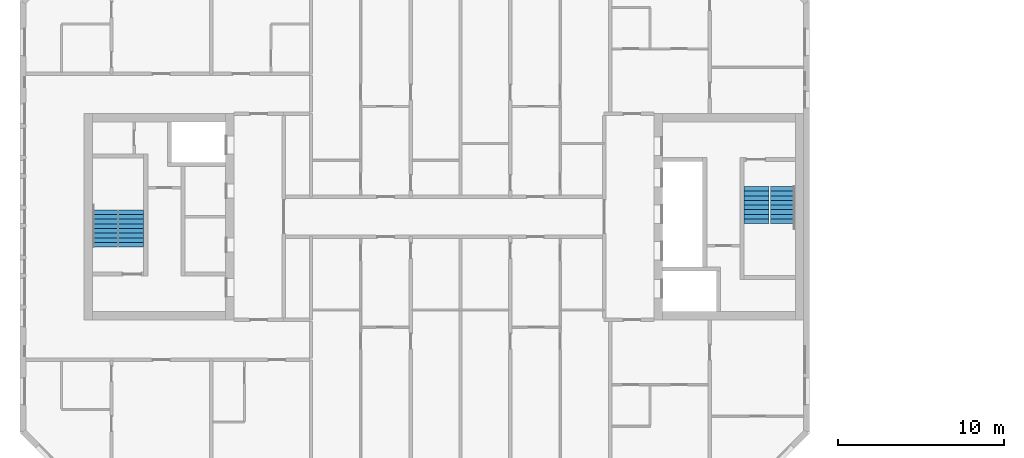
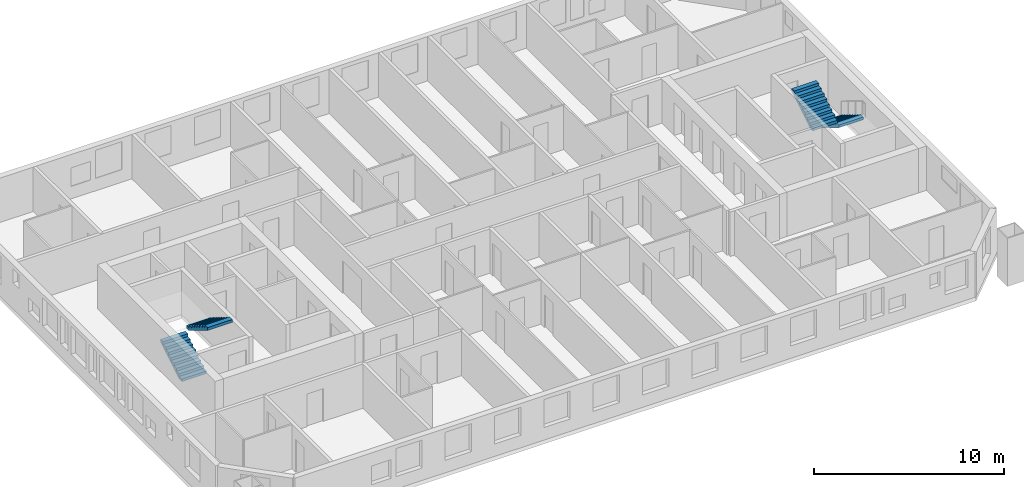
# One storey, part 15 of 16: 4 stair flights, 2 elements without a shape of their own.
"""IFC4 building model written with IfcOpenShell, lengths in metres."""

from ifc_helpers import new_model, si_unit, direction, frame, origin, place, context, subcontext, project, spatial, faceted_brep, material, type_object, element, aggregate, save


model = new_model("IFC4")

# Units and contexts
model_context = context("Model", 3, precision=1e-05, world=origin(), true_north=direction((0.0, 1.0)))
body_context = subcontext(model_context, "Body", "Model", "MODEL_VIEW")
ifc_project = project(units=[si_unit("LENGTHUNIT", "METRE"), si_unit("AREAUNIT", "SQUARE_METRE"), si_unit("VOLUMEUNIT", "CUBIC_METRE"), si_unit("PLANEANGLEUNIT", "RADIAN"), si_unit("MASSUNIT", "GRAM", prefix="KILO")], contexts=[model_context])

# Site, building, storey
site_placement = place(None, origin())
site = spatial("IfcSite", under=ifc_project, at=site_placement, CompositionType="ELEMENT")
building_placement = place(site_placement, origin())
building = spatial("IfcBuilding", under=site, at=building_placement, Name="Tuart Gate Housing", CompositionType="ELEMENT")
storey_placement = place(building_placement, frame((0.0, 0.0, 151.60009765625)))
storey = spatial("IfcBuildingStorey", under=building, at=storey_placement, Name="L42", CompositionType="ELEMENT", Elevation=151.60009765625)

# Stair, stair flights
ifc_material_1 = material(Name="Concrete C40", Category="concrete")
stair_type = type_object("IfcStairType", Name="Core stair 1500", PredefinedType="HALF_TURN_STAIR", material=ifc_material_1)
stair_1_placement = place(storey_placement, origin())
stair_1 = element("IfcStair", 1, at=stair_1_placement, inside=storey, type_object=stair_type, Name="Stair SA1", PredefinedType="HALF_TURN_STAIR")
ifc_material_2 = material(Name="Concrete C40", Category="concrete")
stair_flight_type = type_object("IfcStairFlightType", Name="Stair flight 1500, 9 risers 172 x 280", PredefinedType="STRAIGHT", material=ifc_material_2)
stair_flight_1_placement = place(storey_placement, frame((74.389892578125, 71.824951171875, 0.0), z_axis=(0.0, 0.0, 1.0), x_axis=(0.0, -1.0, 0.0)))
stair_flight_1 = element("IfcStairFlight", 2, at=stair_flight_1_placement, type_object=stair_flight_type, Name="SA1 flight 1", NumberOfRisers=9, NumberOfTreads=8, PredefinedType="STRAIGHT", RiserHeight=0.172222222, TreadLength=0.28, context=body_context, shape_type="Brep", body=[
    faceted_brep([(0.0, 0.75, 0.0), (0.0, 0.75, 0.172119140625), (0.280029296875, 0.75, 0.172119140625), (0.280029296875, 0.75, 0.344482421875), (0.56005859375, 0.75, 0.344482421875), (0.56005859375, 0.75, 0.5166015625), (0.840087890625, 0.75, 0.5166015625), (0.840087890625, 0.75, 0.68896484375), (1.1201171875, 0.75, 0.68896484375), (1.1201171875, 0.75, 0.861083984375), (1.39990234375, 0.75, 0.861083984375), (1.39990234375, 0.75, 1.033447265625), (1.679931640625, 0.75, 1.033447265625), (1.679931640625, 0.75, 1.20556640625), (1.9599609375, 0.75, 1.20556640625), (1.9599609375, 0.75, 1.377685546875), (2.239990234375, 0.75, 1.377685546875), (2.239990234375, 0.75, 1.201904296875), (0.2861328125, 0.75, 0.0), (0.2861328125, -0.75, 0.0), (2.239990234375, -0.75, 1.201904296875), (2.239990234375, -0.75, 1.377685546875), (1.9599609375, -0.75, 1.377685546875), (1.9599609375, -0.75, 1.20556640625), (1.679931640625, -0.75, 1.20556640625), (1.679931640625, -0.75, 1.033447265625), (1.39990234375, -0.75, 1.033447265625), (1.39990234375, -0.75, 0.861083984375), (1.1201171875, -0.75, 0.861083984375), (1.1201171875, -0.75, 0.68896484375), (0.840087890625, -0.75, 0.68896484375), (0.840087890625, -0.75, 0.5166015625), (0.56005859375, -0.75, 0.5166015625), (0.56005859375, -0.75, 0.344482421875), (0.280029296875, -0.75, 0.344482421875), (0.280029296875, -0.75, 0.172119140625), (0.0, -0.75, 0.172119140625), (0.0, -0.75, 0.0), (2.239990234375, 0.0, 1.201904296875), (0.2861328125, 0.0, 0.0), (2.239990234375, 0.0, 1.377685546875), (1.9599609375, 0.0, 1.377685546875), (1.9599609375, 0.0, 1.20556640625), (1.679931640625, 0.0, 1.20556640625), (1.679931640625, 0.0, 1.033447265625), (1.39990234375, 0.0, 1.033447265625), (1.39990234375, 0.0, 0.861083984375), (1.1201171875, 0.0, 0.861083984375), (1.1201171875, 0.0, 0.68896484375), (0.840087890625, 0.0, 0.68896484375), (0.840087890625, 0.0, 0.5166015625), (0.56005859375, 0.0, 0.5166015625), (0.56005859375, 0.0, 0.344482421875), (0.280029296875, 0.0, 0.344482421875), (0.280029296875, 0.0, 0.172119140625), (0.0, 0.0, 0.172119140625), (0.0, 0.0, 0.0)], [[[0, 1, 2, 3, 4, 5, 6, 7, 8, 9, 10, 11, 12, 13, 14, 15, 16, 17, 18]], [[19, 20, 21, 22, 23, 24, 25, 26, 27, 28, 29, 30, 31, 32, 33, 34, 35, 36, 37]], [[18, 17, 38, 39]], [[39, 38, 20, 19]], [[17, 16, 40, 38]], [[38, 40, 21, 20]], [[16, 15, 41, 40]], [[40, 41, 22, 21]], [[15, 14, 42, 41]], [[41, 42, 23, 22]], [[14, 13, 43, 42]], [[42, 43, 24, 23]], [[13, 12, 44, 43]], [[43, 44, 25, 24]], [[12, 11, 45, 44]], [[44, 45, 26, 25]], [[11, 10, 46, 45]], [[45, 46, 27, 26]], [[10, 9, 47, 46]], [[46, 47, 28, 27]], [[9, 8, 48, 47]], [[47, 48, 29, 28]], [[8, 7, 49, 48]], [[48, 49, 30, 29]], [[7, 6, 50, 49]], [[49, 50, 31, 30]], [[6, 5, 51, 50]], [[50, 51, 32, 31]], [[5, 4, 52, 51]], [[51, 52, 33, 32]], [[4, 3, 53, 52]], [[52, 53, 34, 33]], [[3, 2, 54, 53]], [[53, 54, 35, 34]], [[2, 1, 55, 54]], [[54, 55, 36, 35]], [[1, 0, 56, 55]], [[55, 56, 37, 36]], [[0, 18, 39, 56]], [[56, 39, 19, 37]]]),
])
stair_flight_2_placement = place(storey_placement, frame((72.81494140625, 69.5849609375, 1.5498046875), z_axis=(0.0, 0.0, 1.0), x_axis=(0.0, 1.0, 0.0)))
stair_flight_2 = element("IfcStairFlight", 3, at=stair_flight_2_placement, type_object=stair_flight_type, Name="SA1 flight 2", NumberOfRisers=9, NumberOfTreads=8, PredefinedType="STRAIGHT", RiserHeight=0.172222222, TreadLength=0.28, context=body_context, shape_type="Brep", body=[
    faceted_brep([(0.0, 0.75, 0.0), (0.0, 0.75, 0.172119140625), (0.280029296875, 0.75, 0.172119140625), (0.280029296875, 0.75, 0.344482421875), (0.56005859375, 0.75, 0.344482421875), (0.56005859375, 0.75, 0.5166015625), (0.840087890625, 0.75, 0.5166015625), (0.840087890625, 0.75, 0.68896484375), (1.1201171875, 0.75, 0.68896484375), (1.1201171875, 0.75, 0.861083984375), (1.39990234375, 0.75, 0.861083984375), (1.39990234375, 0.75, 1.033447265625), (1.679931640625, 0.75, 1.033447265625), (1.679931640625, 0.75, 1.20556640625), (1.9599609375, 0.75, 1.20556640625), (1.9599609375, 0.75, 1.377685546875), (2.239990234375, 0.75, 1.377685546875), (2.239990234375, 0.75, 1.201904296875), (0.2861328125, 0.75, 0.0), (0.2861328125, -0.75, 0.0), (2.239990234375, -0.75, 1.201904296875), (2.239990234375, -0.75, 1.377685546875), (1.9599609375, -0.75, 1.377685546875), (1.9599609375, -0.75, 1.20556640625), (1.679931640625, -0.75, 1.20556640625), (1.679931640625, -0.75, 1.033447265625), (1.39990234375, -0.75, 1.033447265625), (1.39990234375, -0.75, 0.861083984375), (1.1201171875, -0.75, 0.861083984375), (1.1201171875, -0.75, 0.68896484375), (0.840087890625, -0.75, 0.68896484375), (0.840087890625, -0.75, 0.5166015625), (0.56005859375, -0.75, 0.5166015625), (0.56005859375, -0.75, 0.344482421875), (0.280029296875, -0.75, 0.344482421875), (0.280029296875, -0.75, 0.172119140625), (0.0, -0.75, 0.172119140625), (0.0, -0.75, 0.0), (2.239990234375, 0.0, 1.201904296875), (0.2861328125, 0.0, 0.0), (2.239990234375, 0.0, 1.377685546875), (1.9599609375, 0.0, 1.377685546875), (1.9599609375, 0.0, 1.20556640625), (1.679931640625, 0.0, 1.20556640625), (1.679931640625, 0.0, 1.033447265625), (1.39990234375, 0.0, 1.033447265625), (1.39990234375, 0.0, 0.861083984375), (1.1201171875, 0.0, 0.861083984375), (1.1201171875, 0.0, 0.68896484375), (0.840087890625, 0.0, 0.68896484375), (0.840087890625, 0.0, 0.5166015625), (0.56005859375, 0.0, 0.5166015625), (0.56005859375, 0.0, 0.344482421875), (0.280029296875, 0.0, 0.344482421875), (0.280029296875, 0.0, 0.172119140625), (0.0, 0.0, 0.172119140625), (0.0, 0.0, 0.0)], [[[0, 1, 2, 3, 4, 5, 6, 7, 8, 9, 10, 11, 12, 13, 14, 15, 16, 17, 18]], [[19, 20, 21, 22, 23, 24, 25, 26, 27, 28, 29, 30, 31, 32, 33, 34, 35, 36, 37]], [[18, 17, 38, 39]], [[39, 38, 20, 19]], [[17, 16, 40, 38]], [[38, 40, 21, 20]], [[16, 15, 41, 40]], [[40, 41, 22, 21]], [[15, 14, 42, 41]], [[41, 42, 23, 22]], [[14, 13, 43, 42]], [[42, 43, 24, 23]], [[13, 12, 44, 43]], [[43, 44, 25, 24]], [[12, 11, 45, 44]], [[44, 45, 26, 25]], [[11, 10, 46, 45]], [[45, 46, 27, 26]], [[10, 9, 47, 46]], [[46, 47, 28, 27]], [[9, 8, 48, 47]], [[47, 48, 29, 28]], [[8, 7, 49, 48]], [[48, 49, 30, 29]], [[7, 6, 50, 49]], [[49, 50, 31, 30]], [[6, 5, 51, 50]], [[50, 51, 32, 31]], [[5, 4, 52, 51]], [[51, 52, 33, 32]], [[4, 3, 53, 52]], [[52, 53, 34, 33]], [[3, 2, 54, 53]], [[53, 54, 35, 34]], [[2, 1, 55, 54]], [[54, 55, 36, 35]], [[1, 0, 56, 55]], [[55, 56, 37, 36]], [[0, 18, 39, 56]], [[56, 39, 19, 37]]]),
])
aggregate(stair_1, [stair_flight_1, stair_flight_2])

stair_2_placement = place(storey_placement, origin())
stair_2 = element("IfcStair", 4, at=stair_2_placement, inside=storey, type_object=stair_type, Name="Stair SA2", PredefinedType="HALF_TURN_STAIR")
stair_flight_3_placement = place(storey_placement, frame((33.610107421875, 68.175048828125, 0.0), z_axis=(0.0, 0.0, 1.0), x_axis=(0.0, 1.0, 0.0)))
stair_flight_3 = element("IfcStairFlight", 5, at=stair_flight_3_placement, type_object=stair_flight_type, Name="SA2 flight 1", NumberOfRisers=9, NumberOfTreads=8, PredefinedType="STRAIGHT", RiserHeight=0.172222222, TreadLength=0.28, context=body_context, shape_type="Brep", body=[
    faceted_brep([(0.0, 0.75, 0.0), (0.0, 0.75, 0.172119140625), (0.280029296875, 0.75, 0.172119140625), (0.280029296875, 0.75, 0.344482421875), (0.56005859375, 0.75, 0.344482421875), (0.56005859375, 0.75, 0.5166015625), (0.840087890625, 0.75, 0.5166015625), (0.840087890625, 0.75, 0.68896484375), (1.1201171875, 0.75, 0.68896484375), (1.1201171875, 0.75, 0.861083984375), (1.39990234375, 0.75, 0.861083984375), (1.39990234375, 0.75, 1.033447265625), (1.679931640625, 0.75, 1.033447265625), (1.679931640625, 0.75, 1.20556640625), (1.9599609375, 0.75, 1.20556640625), (1.9599609375, 0.75, 1.377685546875), (2.239990234375, 0.75, 1.377685546875), (2.239990234375, 0.75, 1.201904296875), (0.2861328125, 0.75, 0.0), (0.2861328125, -0.75, 0.0), (2.239990234375, -0.75, 1.201904296875), (2.239990234375, -0.75, 1.377685546875), (1.9599609375, -0.75, 1.377685546875), (1.9599609375, -0.75, 1.20556640625), (1.679931640625, -0.75, 1.20556640625), (1.679931640625, -0.75, 1.033447265625), (1.39990234375, -0.75, 1.033447265625), (1.39990234375, -0.75, 0.861083984375), (1.1201171875, -0.75, 0.861083984375), (1.1201171875, -0.75, 0.68896484375), (0.840087890625, -0.75, 0.68896484375), (0.840087890625, -0.75, 0.5166015625), (0.56005859375, -0.75, 0.5166015625), (0.56005859375, -0.75, 0.344482421875), (0.280029296875, -0.75, 0.344482421875), (0.280029296875, -0.75, 0.172119140625), (0.0, -0.75, 0.172119140625), (0.0, -0.75, 0.0), (2.239990234375, 0.0, 1.201904296875), (0.2861328125, 0.0, 0.0), (2.239990234375, 0.0, 1.377685546875), (1.9599609375, 0.0, 1.377685546875), (1.9599609375, 0.0, 1.20556640625), (1.679931640625, 0.0, 1.20556640625), (1.679931640625, 0.0, 1.033447265625), (1.39990234375, 0.0, 1.033447265625), (1.39990234375, 0.0, 0.861083984375), (1.1201171875, 0.0, 0.861083984375), (1.1201171875, 0.0, 0.68896484375), (0.840087890625, 0.0, 0.68896484375), (0.840087890625, 0.0, 0.5166015625), (0.56005859375, 0.0, 0.5166015625), (0.56005859375, 0.0, 0.344482421875), (0.280029296875, 0.0, 0.344482421875), (0.280029296875, 0.0, 0.172119140625), (0.0, 0.0, 0.172119140625), (0.0, 0.0, 0.0)], [[[0, 1, 2, 3, 4, 5, 6, 7, 8, 9, 10, 11, 12, 13, 14, 15, 16, 17, 18]], [[19, 20, 21, 22, 23, 24, 25, 26, 27, 28, 29, 30, 31, 32, 33, 34, 35, 36, 37]], [[18, 17, 38, 39]], [[39, 38, 20, 19]], [[17, 16, 40, 38]], [[38, 40, 21, 20]], [[16, 15, 41, 40]], [[40, 41, 22, 21]], [[15, 14, 42, 41]], [[41, 42, 23, 22]], [[14, 13, 43, 42]], [[42, 43, 24, 23]], [[13, 12, 44, 43]], [[43, 44, 25, 24]], [[12, 11, 45, 44]], [[44, 45, 26, 25]], [[11, 10, 46, 45]], [[45, 46, 27, 26]], [[10, 9, 47, 46]], [[46, 47, 28, 27]], [[9, 8, 48, 47]], [[47, 48, 29, 28]], [[8, 7, 49, 48]], [[48, 49, 30, 29]], [[7, 6, 50, 49]], [[49, 50, 31, 30]], [[6, 5, 51, 50]], [[50, 51, 32, 31]], [[5, 4, 52, 51]], [[51, 52, 33, 32]], [[4, 3, 53, 52]], [[52, 53, 34, 33]], [[3, 2, 54, 53]], [[53, 54, 35, 34]], [[2, 1, 55, 54]], [[54, 55, 36, 35]], [[1, 0, 56, 55]], [[55, 56, 37, 36]], [[0, 18, 39, 56]], [[56, 39, 19, 37]]]),
])
stair_flight_4_placement = place(storey_placement, frame((35.18505859375, 70.4150390625, 1.5498046875), z_axis=(0.0, 0.0, 1.0), x_axis=(0.0, -1.0, 0.0)))
stair_flight_4 = element("IfcStairFlight", 6, at=stair_flight_4_placement, type_object=stair_flight_type, Name="SA2 flight 2", NumberOfRisers=9, NumberOfTreads=8, PredefinedType="STRAIGHT", RiserHeight=0.172222222, TreadLength=0.28, context=body_context, shape_type="Brep", body=[
    faceted_brep([(0.0, 0.75, 0.0), (0.0, 0.75, 0.172119140625), (0.280029296875, 0.75, 0.172119140625), (0.280029296875, 0.75, 0.344482421875), (0.56005859375, 0.75, 0.344482421875), (0.56005859375, 0.75, 0.5166015625), (0.840087890625, 0.75, 0.5166015625), (0.840087890625, 0.75, 0.68896484375), (1.1201171875, 0.75, 0.68896484375), (1.1201171875, 0.75, 0.861083984375), (1.39990234375, 0.75, 0.861083984375), (1.39990234375, 0.75, 1.033447265625), (1.679931640625, 0.75, 1.033447265625), (1.679931640625, 0.75, 1.20556640625), (1.9599609375, 0.75, 1.20556640625), (1.9599609375, 0.75, 1.377685546875), (2.239990234375, 0.75, 1.377685546875), (2.239990234375, 0.75, 1.201904296875), (0.2861328125, 0.75, 0.0), (0.2861328125, -0.75, 0.0), (2.239990234375, -0.75, 1.201904296875), (2.239990234375, -0.75, 1.377685546875), (1.9599609375, -0.75, 1.377685546875), (1.9599609375, -0.75, 1.20556640625), (1.679931640625, -0.75, 1.20556640625), (1.679931640625, -0.75, 1.033447265625), (1.39990234375, -0.75, 1.033447265625), (1.39990234375, -0.75, 0.861083984375), (1.1201171875, -0.75, 0.861083984375), (1.1201171875, -0.75, 0.68896484375), (0.840087890625, -0.75, 0.68896484375), (0.840087890625, -0.75, 0.5166015625), (0.56005859375, -0.75, 0.5166015625), (0.56005859375, -0.75, 0.344482421875), (0.280029296875, -0.75, 0.344482421875), (0.280029296875, -0.75, 0.172119140625), (0.0, -0.75, 0.172119140625), (0.0, -0.75, 0.0), (2.239990234375, 0.0, 1.201904296875), (0.2861328125, 0.0, 0.0), (2.239990234375, 0.0, 1.377685546875), (1.9599609375, 0.0, 1.377685546875), (1.9599609375, 0.0, 1.20556640625), (1.679931640625, 0.0, 1.20556640625), (1.679931640625, 0.0, 1.033447265625), (1.39990234375, 0.0, 1.033447265625), (1.39990234375, 0.0, 0.861083984375), (1.1201171875, 0.0, 0.861083984375), (1.1201171875, 0.0, 0.68896484375), (0.840087890625, 0.0, 0.68896484375), (0.840087890625, 0.0, 0.5166015625), (0.56005859375, 0.0, 0.5166015625), (0.56005859375, 0.0, 0.344482421875), (0.280029296875, 0.0, 0.344482421875), (0.280029296875, 0.0, 0.172119140625), (0.0, 0.0, 0.172119140625), (0.0, 0.0, 0.0)], [[[0, 1, 2, 3, 4, 5, 6, 7, 8, 9, 10, 11, 12, 13, 14, 15, 16, 17, 18]], [[19, 20, 21, 22, 23, 24, 25, 26, 27, 28, 29, 30, 31, 32, 33, 34, 35, 36, 37]], [[18, 17, 38, 39]], [[39, 38, 20, 19]], [[17, 16, 40, 38]], [[38, 40, 21, 20]], [[16, 15, 41, 40]], [[40, 41, 22, 21]], [[15, 14, 42, 41]], [[41, 42, 23, 22]], [[14, 13, 43, 42]], [[42, 43, 24, 23]], [[13, 12, 44, 43]], [[43, 44, 25, 24]], [[12, 11, 45, 44]], [[44, 45, 26, 25]], [[11, 10, 46, 45]], [[45, 46, 27, 26]], [[10, 9, 47, 46]], [[46, 47, 28, 27]], [[9, 8, 48, 47]], [[47, 48, 29, 28]], [[8, 7, 49, 48]], [[48, 49, 30, 29]], [[7, 6, 50, 49]], [[49, 50, 31, 30]], [[6, 5, 51, 50]], [[50, 51, 32, 31]], [[5, 4, 52, 51]], [[51, 52, 33, 32]], [[4, 3, 53, 52]], [[52, 53, 34, 33]], [[3, 2, 54, 53]], [[53, 54, 35, 34]], [[2, 1, 55, 54]], [[54, 55, 36, 35]], [[1, 0, 56, 55]], [[55, 56, 37, 36]], [[0, 18, 39, 56]], [[56, 39, 19, 37]]]),
])
aggregate(stair_2, [stair_flight_3, stair_flight_4])

save(model, "model.ifc")
